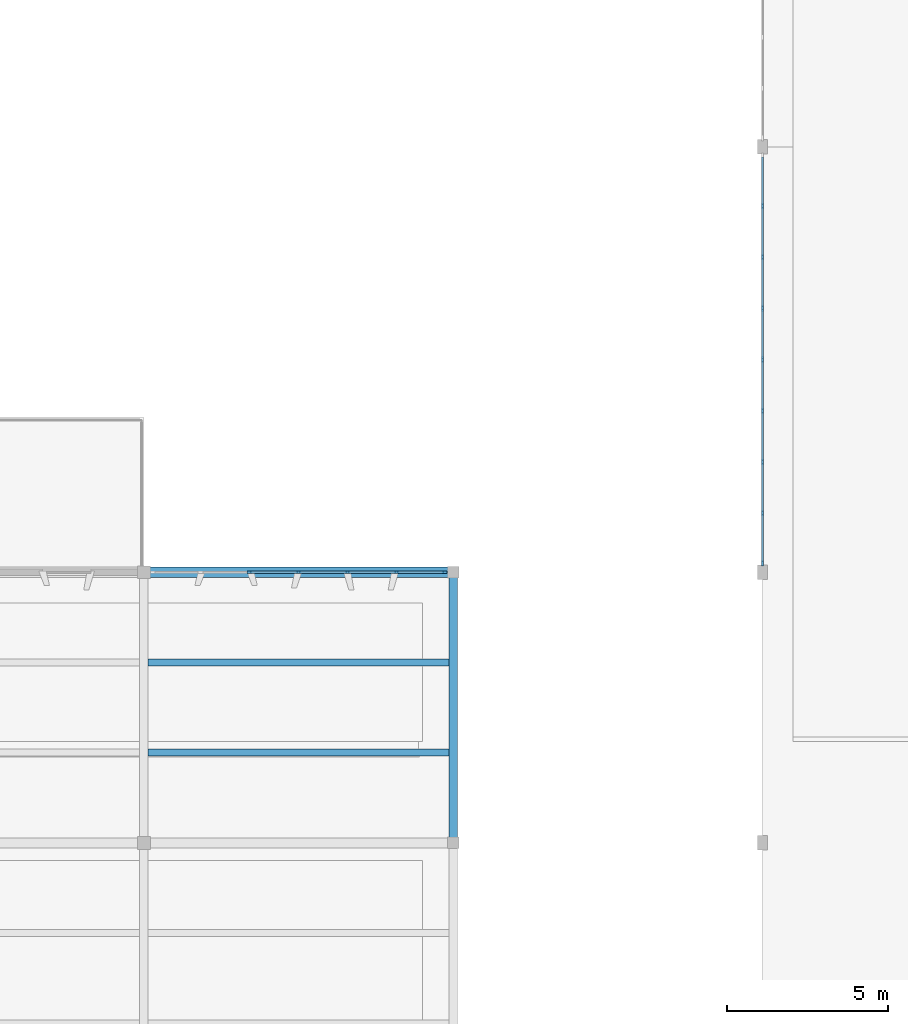
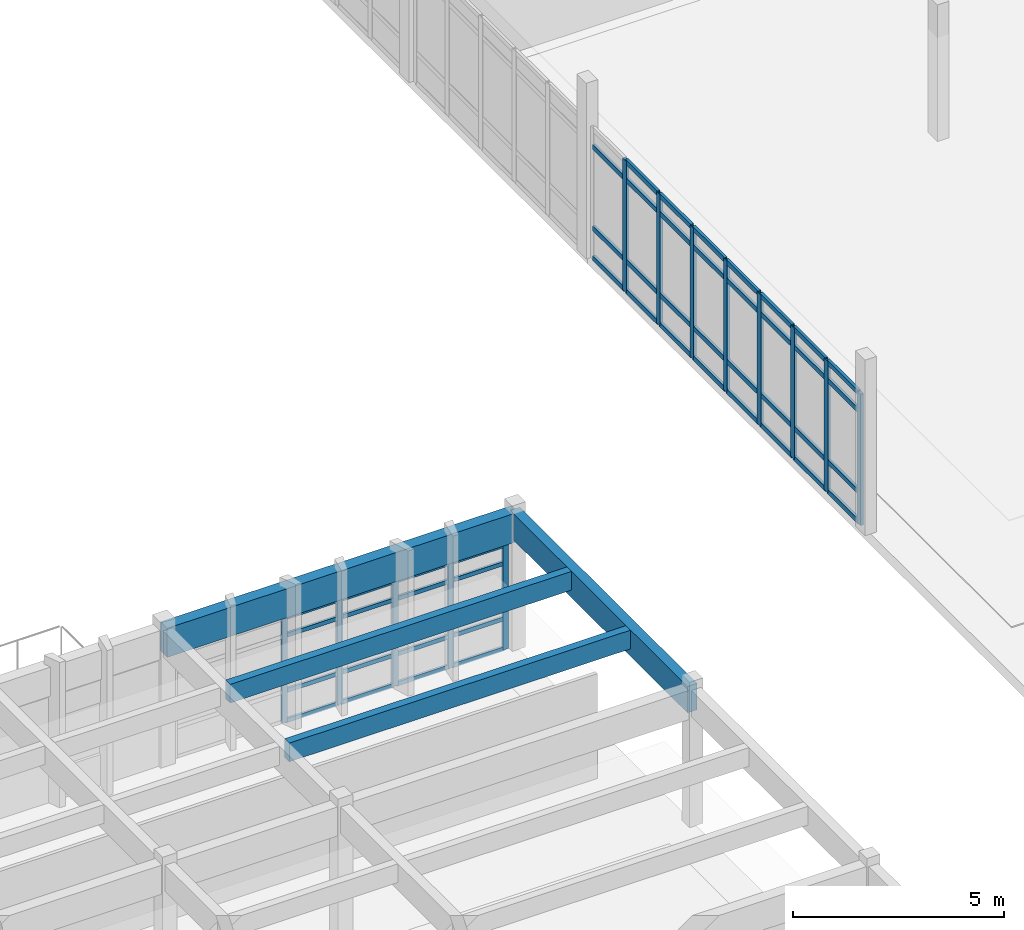
# One storey, part 24 of 61: 60 members, 4 beams, 2 elements without a shape of their own.
"""IFC4 building model written with IfcOpenShell, lengths in metres."""

import ifcopenshell
import ifcopenshell.guid

model = None  # the IFC model being written
_history = None  # IfcOwnerHistory: only IFC2X3 demands one
_inside = {}  # id of a spatial element -> (the spatial element, [elements in it])
_under = {}  # id of a project, library or spatial element -> (it, [spatial elements below it])
_declared = {}  # id of a project -> (the project, [libraries it declares])
_typed = {}  # id of a type object -> (the type object, [elements of that type])
_made_of = {}  # id of a material, layer set ... -> (it, [elements and type objects made of it])


def new_model(schema):
    """Start an empty IFC model of exactly this schema.

    Asked for "IFC4X3", IfcOpenShell would pick the latest addendum, in which some entities
    have other attributes; the version numbers below select the first issue.
    IFC2X3 requires an IfcOwnerHistory on every rooted entity: one is made here for all.
    """
    global model, _history
    if schema == "IFC4X3":
        model = ifcopenshell.file(schema_version=(4, 3, 0, 0))
    else:
        model = ifcopenshell.file(schema=schema)
    _inside.clear()
    _under.clear()
    _declared.clear()
    _typed.clear()
    _made_of.clear()
    _history = None
    if model.schema == "IFC2X3":
        org = make("IfcOrganization", Name="unknown")
        user = make(
            "IfcPersonAndOrganization",
            ThePerson=make("IfcPerson", FamilyName="unknown"),
            TheOrganization=org,
        )
        app = make(
            "IfcApplication",
            ApplicationDeveloper=org,
            Version="unknown",
            ApplicationFullName="unknown",
            ApplicationIdentifier="unknown",
        )
        _history = make(
            "IfcOwnerHistory",
            OwningUser=user,
            OwningApplication=app,
            ChangeAction="ADDED",
            CreationDate=0,
        )
    return model


def make(cls, **values):
    """One entity of the class cls with the attributes given. An attribute that is None is left unset."""
    return model.create_entity(
        cls, **{name: value for name, value in values.items() if value is not None}
    )


def rooted(cls, **values):
    """An entity with a GlobalId (a new one), such as an element, a storey or a relation."""
    return make(cls, GlobalId=ifcopenshell.guid.new(), OwnerHistory=_history, **values)


def si_unit(unit_type, name, prefix=None):
    """IfcSIUnit, for example si_unit("LENGTHUNIT", "METRE", prefix="MILLI")."""
    return make("IfcSIUnit", UnitType=unit_type, Prefix=prefix, Name=name)


def assignment(units):
    """IfcUnitAssignment: the units of a project."""
    return None if units is None else make("IfcUnitAssignment", Units=units)


def point(xyz):
    """IfcCartesianPoint."""
    return None if xyz is None else make("IfcCartesianPoint", Coordinates=xyz)


def direction(xyz):
    """IfcDirection."""
    return None if xyz is None else make("IfcDirection", DirectionRatios=xyz)


def frame(location, z_axis=None, x_axis=None):
    """IfcAxis2Placement3D, a coordinate frame: its origin and axes. An axis left out is left unset."""
    return make(
        "IfcAxis2Placement3D",
        Location=point(location),
        Axis=direction(z_axis),
        RefDirection=direction(x_axis),
    )


def frame_2d(location, x_axis=None):
    """IfcAxis2Placement2D, a coordinate frame in the plane: its origin and x axis."""
    return make(
        "IfcAxis2Placement2D", Location=point(location), RefDirection=direction(x_axis)
    )


def origin():
    """The frame at (0, 0, 0) with its axes left unset."""
    return frame((0.0, 0.0, 0.0))


def origin_2d():
    """The frame at (0, 0) in the plane with its x axis left unset."""
    return frame_2d((0.0, 0.0))


def place(relative_to, where):
    """IfcLocalPlacement: puts the frame where relative to a parent placement (None: the world)."""
    return make(
        "IfcLocalPlacement", PlacementRelTo=relative_to, RelativePlacement=where
    )


def context(
    kind, dimensions, precision=None, world=None, true_north=None, identifier=None
):
    """IfcGeometricRepresentationContext, for example the 3D "Model" context."""
    return make(
        "IfcGeometricRepresentationContext",
        ContextIdentifier=identifier,
        ContextType=kind,
        CoordinateSpaceDimension=dimensions,
        Precision=precision,
        WorldCoordinateSystem=world,
        TrueNorth=true_north,
    )


def subcontext(parent, identifier, kind, view, scale=None):
    """IfcGeometricRepresentationSubContext, for example "Body" below "Model"."""
    return make(
        "IfcGeometricRepresentationSubContext",
        ContextIdentifier=identifier,
        ContextType=kind,
        ParentContext=parent,
        TargetScale=scale,
        TargetView=view,
    )


def project(units=None, contexts=None):
    """IfcProject with its units and contexts."""
    return rooted(
        "IfcProject",
        Name="project",
        RepresentationContexts=contexts,
        UnitsInContext=assignment(units),
    )


def spatial(cls, under=None, at=None, **own):
    """A site, building, storey or space (cls), placed at a placement, below another one or the project."""
    s = rooted(cls, ObjectPlacement=at, **own)
    if under is not None:
        _under.setdefault(under.id(), (under, []))[1].append(s)
    return s


def profile(cls, at=None, kind="AREA", **sizes):
    """A parametric profile (cls). Its sizes go by their IFC names, for example OverallWidth=200.0."""
    return make(cls, ProfileType=kind, Position=at, **sizes)


def rectangle(**sizes):
    """IfcRectangleProfileDef."""
    return profile("IfcRectangleProfileDef", **sizes)


def extrude(swept, where, along, depth):
    """IfcExtrudedAreaSolid: the profile swept, set in the frame where, extruded along a direction by depth."""
    return make(
        "IfcExtrudedAreaSolid",
        SweptArea=swept,
        Position=where,
        ExtrudedDirection=direction(along),
        Depth=depth,
    )


def shape(context_of_items, identifier, shape_type, items):
    """IfcShapeRepresentation: the items that make up one representation, for example the "Body"."""
    return make(
        "IfcShapeRepresentation",
        ContextOfItems=context_of_items,
        RepresentationIdentifier=identifier,
        RepresentationType=shape_type,
        Items=items,
    )


def material(Name=None, Category=None):
    """IfcMaterial."""
    return make("IfcMaterial", Name=Name, Category=Category)


def layer(
    of_material, thickness, ventilated=None, Name=None, Category=None, Priority=None
):
    """IfcMaterialLayer: one layer of a wall or slab, of a material (None: an air gap)."""
    return make(
        "IfcMaterialLayer",
        Material=of_material,
        LayerThickness=thickness,
        IsVentilated=ventilated,
        Name=Name,
        Category=Category,
        Priority=Priority,
    )


def layer_set(layers, Name=None):
    """IfcMaterialLayerSet."""
    return make("IfcMaterialLayerSet", MaterialLayers=layers, LayerSetName=Name)


def material_profile(
    of_material, cross_section, Name=None, Category=None, Priority=None
):
    """IfcMaterialProfile: a cross section and its material."""
    return make(
        "IfcMaterialProfile",
        Name=Name,
        Material=of_material,
        Profile=cross_section,
        Priority=Priority,
        Category=Category,
    )


def profile_set(profiles, Name=None, composite=None):
    """IfcMaterialProfileSet."""
    return make(
        "IfcMaterialProfileSet",
        Name=Name,
        MaterialProfiles=profiles,
        CompositeProfile=composite,
    )


def made_of(thing, what):
    """Note that an element or type object is made of a material, layer set ...; save() writes the relation."""
    if what is not None:
        _made_of.setdefault(what.id(), (what, []))[1].append(thing)
    return thing


def type_object(cls, material=None, **own):
    """A type object (cls), such as IfcWallType, which elements share."""
    return made_of(rooted(cls, **own), material)


def element(
    cls,
    number,
    at=None,
    inside=None,
    cuts=None,
    type_object=None,
    material=None,
    context=None,
    identifier="Body",
    shape_type=None,
    held_by="IfcProductDefinitionShape",
    body=None,
    shapes=None,
    **own,
):
    """One element of the class cls, such as IfcWall. Its Tag is "e" and its number.

    at: its placement. inside: the storey or other place that contains it. cuts: it is an
    opening in that element (IfcRelVoidsElement). A single representation is given by context,
    identifier, shape_type and body (its items); several are given by shapes. held_by: the class
    of the entity that holds the representations. save() writes the other relations.
    """
    e = rooted(cls, Tag="e%d" % number, ObjectPlacement=at, **own)
    if body is not None:
        shapes = [shape(context, identifier, shape_type, body)]
    if shapes is not None:
        e.Representation = make(held_by, Representations=shapes)
    if inside is not None:
        _inside.setdefault(inside.id(), (inside, []))[1].append(e)
    if cuts is not None:
        rooted(
            "IfcRelVoidsElement", RelatingBuildingElement=cuts, RelatedOpeningElement=e
        )
    if type_object is not None:
        _typed.setdefault(type_object.id(), (type_object, []))[1].append(e)
    return made_of(e, material)


def aggregate(whole, parts):
    """IfcRelAggregates: a whole, such as a stair, and the parts it consists of."""
    return rooted("IfcRelAggregates", RelatingObject=whole, RelatedObjects=parts)


def save(model, path):
    """Write the relations noted so far, then the file.

    IfcRelAggregates (storeys below a building ...), IfcRelContainedInSpatialStructure (elements
    in a storey), IfcRelDefinesByType, IfcRelAssociatesMaterial and IfcRelDeclares: one each for
    every whole, place, type object, material and project.
    """
    for whole, parts in _under.values():
        aggregate(whole, parts)
    for where, things in _inside.values():
        rooted(
            "IfcRelContainedInSpatialStructure",
            RelatedElements=things,
            RelatingStructure=where,
        )
    for kind, things in _typed.values():
        rooted("IfcRelDefinesByType", RelatedObjects=things, RelatingType=kind)
    for what, things in _made_of.values():
        rooted("IfcRelAssociatesMaterial", RelatedObjects=things, RelatingMaterial=what)
    for by, libraries in _declared.values():
        rooted("IfcRelDeclares", RelatingContext=by, RelatedDefinitions=libraries)
    model.write(path)


model = new_model("IFC4")

# Units and contexts
model_context = context("Model", 3, precision=1e-05, world=origin(), true_north=direction((0.0, 1.0)))
body_context = subcontext(model_context, "Body", "Model", "MODEL_VIEW")
ifc_project = project(units=[si_unit("LENGTHUNIT", "METRE"), si_unit("AREAUNIT", "SQUARE_METRE"), si_unit("VOLUMEUNIT", "CUBIC_METRE"), si_unit("PLANEANGLEUNIT", "RADIAN"), si_unit("MASSUNIT", "GRAM", prefix="KILO")], contexts=[model_context])

# Site, building, storey
site_placement = place(None, origin())
site = spatial("IfcSite", under=ifc_project, at=site_placement, CompositionType="ELEMENT")
building_placement = place(site_placement, origin())
building = spatial("IfcBuilding", under=site, at=building_placement, Name="Kolvemor Railside Polytechnic", CompositionType="ELEMENT")
storey_placement = place(building_placement, frame((0.0, 0.0, 10.199951171875)))
storey = spatial("IfcBuildingStorey", under=building, at=storey_placement, Name="L02", CompositionType="ELEMENT", Elevation=10.199951171875)

# Beams
ifc_material_1 = material(Name="Glulam GL28h", Category="wood")
ifc_material_profile_1 = material_profile(ifc_material_1, rectangle(XDim=0.264892578125, YDim=0.760009765625, at=origin_2d()), Name="GL265x760")
ifc_profile_set_1 = profile_set([ifc_material_profile_1], Name="Glulam GL28h")
beam_type_1 = type_object("IfcBeamType", Name="BM-GL-GIRD1", PredefinedType="BEAM", material=ifc_profile_set_1)
beam_1_placement = place(storey_placement, frame((134.39990234375, 30.0, 3.570068359375), z_axis=(0.0, 1.0, 0.0), x_axis=(-1.0, 0.0, 0.0)))
element("IfcBeam", 1, at=beam_1_placement, inside=storey, type_object=beam_type_1, Name="Primary Girder L03-GY 1933", PredefinedType="BEAM", context=body_context, shape_type="SweptSolid", body=[
    extrude(rectangle(XDim=0.264892578125, YDim=0.760009765625, at=origin_2d()), origin(), (0.0, 0.0, 1.0), 8.39990234375),
])
ifc_material_2 = material(Name="Glulam GL28h", Category="wood")
ifc_material_profile_2 = material_profile(ifc_material_2, rectangle(XDim=0.31494140625, YDim=0.840087890625, at=origin_2d()), Name="GL315x840")
ifc_profile_set_2 = profile_set([ifc_material_profile_2], Name="Glulam GL28h")
beam_type_2 = type_object("IfcBeamType", Name="BM-GL-GIRD3", PredefinedType="BEAM", material=ifc_profile_set_2)
beam_2_placement = place(storey_placement, frame((124.800048828125, 38.39990234375, 3.530029296875), z_axis=(1.0, 0.0, 0.0), x_axis=(0.0, 1.0, 0.0)))
element("IfcBeam", 2, at=beam_2_placement, inside=storey, type_object=beam_type_2, Name="Primary Girder L03-GX 1929", PredefinedType="BEAM", context=body_context, shape_type="SweptSolid", body=[
    extrude(rectangle(XDim=0.31494140625, YDim=0.840087890625, at=origin_2d()), origin(), (0.0, 0.0, 1.0), 9.599853515625),
])
ifc_material_3 = material(Name="Glulam GL28h", Category="wood")
ifc_material_profile_3 = material_profile(ifc_material_3, rectangle(XDim=0.215087890625, YDim=0.5400390625, at=origin_2d()), Name="GL215x540")
ifc_profile_set_3 = profile_set([ifc_material_profile_3], Name="Glulam GL28h")
beam_type_3 = type_object("IfcBeamType", Name="BM-GL-JST1", PredefinedType="JOIST", material=ifc_profile_set_3)
for number, where, z_axis, x_axis, name in (
    (3, (124.93310546875, 32.800048828125, 3.679931640625), (1.0, 0.0, 0.0), (0.0, 1.0, 0.0), "Floor Joist L03-J1940"),
    (4, (124.93310546875, 35.60009765625, 3.679931640625), (1.0, 0.0, 0.0), (0.0, 1.0, 0.0), "Floor Joist L03-J1941"),
):
    element("IfcBeam", number, at=place(storey_placement, frame(where, z_axis=z_axis, x_axis=x_axis)), inside=storey, type_object=beam_type_3, Name=name, PredefinedType="JOIST", context=body_context, shape_type="SweptSolid", body=[
        extrude(rectangle(XDim=0.215087890625, YDim=0.5400390625, at=origin_2d()), origin(), (0.0, 0.0, 1.0), 9.333984375),
    ])

# Curtain wall, members
ifc_material_4 = material(Name="Anodised marine aluminium and laminated low-E glass", Category="aluminium")
ifc_layer = layer(ifc_material_4, 0.179931640625, Name="CW-UNIT-STD")
ifc_layer_set = layer_set([ifc_layer], Name="Anodised marine aluminium and laminated low-E glass")
curtain_wall_type = type_object("IfcCurtainWallType", Name="CW-UNIT-STD", PredefinedType="USERDEFINED", material=ifc_layer_set)
curtain_wall_1_placement = place(storey_placement, origin())
curtain_wall_1 = element("IfcCurtainWall", 5, at=curtain_wall_1_placement, inside=storey, type_object=curtain_wall_type, Name="Curtain Wall L02-125", ObjectType="UNITISED CURTAIN WALL", PredefinedType="USERDEFINED")
ifc_material_5 = material(Name="Anodised marine aluminium 6063-T6", Category="aluminium")
ifc_material_profile_4 = material_profile(ifc_material_5, rectangle(XDim=0.06494140625, YDim=0.14990234375, at=origin_2d()), Name="CW-MUL-65x150")
ifc_profile_set_4 = profile_set([ifc_material_profile_4], Name="Anodised marine aluminium 6063-T6")
member_type_1 = type_object("IfcMemberType", Name="CWM-65x150", PredefinedType="MULLION", material=ifc_profile_set_4)
member_1_placement = place(storey_placement, frame((134.12744140625, 38.39990234375, 0.0), z_axis=(0.0, 0.0, 1.0), x_axis=(0.0, -1.0, 0.0)))
member_1 = element("IfcMember", 6, at=member_1_placement, type_object=member_type_1, Name="CW-STD mullion 1", PredefinedType="MULLION", context=body_context, shape_type="SweptSolid", body=[
    extrude(rectangle(XDim=0.06494140625, YDim=0.14990234375, at=origin_2d()), origin(), (0.0, 0.0, 1.0), 3.050048828125),
])
member_2_placement = place(storey_placement, frame((132.639892578125, 38.39990234375, 0.0), z_axis=(0.0, 0.0, 1.0), x_axis=(0.0, -1.0, 0.0)))
member_2 = element("IfcMember", 7, at=member_2_placement, type_object=member_type_1, Name="CW-STD mullion 2", PredefinedType="MULLION", context=body_context, shape_type="SweptSolid", body=[
    extrude(rectangle(XDim=0.06494140625, YDim=0.14990234375, at=origin_2d()), origin(), (0.0, 0.0, 1.0), 3.050048828125),
])
member_3_placement = place(storey_placement, frame((131.1201171875, 38.39990234375, 0.0), z_axis=(0.0, 0.0, 1.0), x_axis=(0.0, -1.0, 0.0)))
member_3 = element("IfcMember", 8, at=member_3_placement, type_object=member_type_1, Name="CW-STD mullion 3", PredefinedType="MULLION", context=body_context, shape_type="SweptSolid", body=[
    extrude(rectangle(XDim=0.06494140625, YDim=0.14990234375, at=origin_2d()), origin(), (0.0, 0.0, 1.0), 3.050048828125),
])
member_4_placement = place(storey_placement, frame((129.60009765625, 38.39990234375, 0.0), z_axis=(0.0, 0.0, 1.0), x_axis=(0.0, -1.0, 0.0)))
member_4 = element("IfcMember", 9, at=member_4_placement, type_object=member_type_1, Name="CW-STD mullion 4", PredefinedType="MULLION", context=body_context, shape_type="SweptSolid", body=[
    extrude(rectangle(XDim=0.06494140625, YDim=0.14990234375, at=origin_2d()), origin(), (0.0, 0.0, 1.0), 3.050048828125),
])
member_5_placement = place(storey_placement, frame((128.080078125, 38.39990234375, 0.0), z_axis=(0.0, 0.0, 1.0), x_axis=(0.0, -1.0, 0.0)))
member_5 = element("IfcMember", 10, at=member_5_placement, type_object=member_type_1, Name="CW-STD mullion 5", PredefinedType="MULLION", context=body_context, shape_type="SweptSolid", body=[
    extrude(rectangle(XDim=0.06494140625, YDim=0.14990234375, at=origin_2d()), origin(), (0.0, 0.0, 1.0), 3.050048828125),
])

curtain_wall_2_placement = place(storey_placement, origin())
curtain_wall_2 = element("IfcCurtainWall", 11, at=curtain_wall_2_placement, inside=storey, type_object=curtain_wall_type, Name="Curtain Wall L02-064", ObjectType="UNITISED CURTAIN WALL", PredefinedType="USERDEFINED")
ifc_material_6 = material(Name="Anodised marine aluminium 6063-T6", Category="aluminium")
ifc_material_profile_5 = material_profile(ifc_material_6, rectangle(XDim=0.074951171875, YDim=0.179931640625, at=origin_2d()), Name="CW-MUL-75x180")
ifc_profile_set_5 = profile_set([ifc_material_profile_5], Name="Anodised marine aluminium 6063-T6")
member_type_2 = type_object("IfcMemberType", Name="CWM-75x180", PredefinedType="MULLION", material=ifc_profile_set_5)
member_6_placement = place(storey_placement, frame((144.0, 49.77001953125, 0.0), z_axis=(0.0, 0.0, 1.0), x_axis=(1.0, 0.0, 0.0)))
member_6 = element("IfcMember", 12, at=member_6_placement, type_object=member_type_2, Name="CW-STD mullion 2", PredefinedType="MULLION", context=body_context, shape_type="SweptSolid", body=[
    extrude(rectangle(XDim=0.074951171875, YDim=0.179931640625, at=origin_2d()), origin(), (0.0, 0.0, 1.0), 3.800048828125),
])
member_7_placement = place(storey_placement, frame((144.0, 48.179931640625, 0.0), z_axis=(0.0, 0.0, 1.0), x_axis=(1.0, 0.0, 0.0)))
member_7 = element("IfcMember", 13, at=member_7_placement, type_object=member_type_2, Name="CW-STD mullion 3", PredefinedType="MULLION", context=body_context, shape_type="SweptSolid", body=[
    extrude(rectangle(XDim=0.074951171875, YDim=0.179931640625, at=origin_2d()), origin(), (0.0, 0.0, 1.0), 3.800048828125),
])
member_8_placement = place(storey_placement, frame((144.0, 46.590087890625, 0.0), z_axis=(0.0, 0.0, 1.0), x_axis=(1.0, 0.0, 0.0)))
member_8 = element("IfcMember", 14, at=member_8_placement, type_object=member_type_2, Name="CW-STD mullion 4", PredefinedType="MULLION", context=body_context, shape_type="SweptSolid", body=[
    extrude(rectangle(XDim=0.074951171875, YDim=0.179931640625, at=origin_2d()), origin(), (0.0, 0.0, 1.0), 3.800048828125),
])
member_9_placement = place(storey_placement, frame((144.0, 45.0, 0.0), z_axis=(0.0, 0.0, 1.0), x_axis=(1.0, 0.0, 0.0)))
member_9 = element("IfcMember", 15, at=member_9_placement, type_object=member_type_2, Name="CW-STD mullion 5", PredefinedType="MULLION", context=body_context, shape_type="SweptSolid", body=[
    extrude(rectangle(XDim=0.074951171875, YDim=0.179931640625, at=origin_2d()), origin(), (0.0, 0.0, 1.0), 3.800048828125),
])
member_10_placement = place(storey_placement, frame((144.0, 43.409912109375, 0.0), z_axis=(0.0, 0.0, 1.0), x_axis=(1.0, 0.0, 0.0)))
member_10 = element("IfcMember", 16, at=member_10_placement, type_object=member_type_2, Name="CW-STD mullion 6", PredefinedType="MULLION", context=body_context, shape_type="SweptSolid", body=[
    extrude(rectangle(XDim=0.074951171875, YDim=0.179931640625, at=origin_2d()), origin(), (0.0, 0.0, 1.0), 3.800048828125),
])
member_11_placement = place(storey_placement, frame((144.0, 41.820068359375, 0.0), z_axis=(0.0, 0.0, 1.0), x_axis=(1.0, 0.0, 0.0)))
member_11 = element("IfcMember", 17, at=member_11_placement, type_object=member_type_2, Name="CW-STD mullion 7", PredefinedType="MULLION", context=body_context, shape_type="SweptSolid", body=[
    extrude(rectangle(XDim=0.074951171875, YDim=0.179931640625, at=origin_2d()), origin(), (0.0, 0.0, 1.0), 3.800048828125),
])
member_12_placement = place(storey_placement, frame((144.0, 40.22998046875, 0.0), z_axis=(0.0, 0.0, 1.0), x_axis=(1.0, 0.0, 0.0)))
member_12 = element("IfcMember", 18, at=member_12_placement, type_object=member_type_2, Name="CW-STD mullion 8", PredefinedType="MULLION", context=body_context, shape_type="SweptSolid", body=[
    extrude(rectangle(XDim=0.074951171875, YDim=0.179931640625, at=origin_2d()), origin(), (0.0, 0.0, 1.0), 3.800048828125),
])
member_13_placement = place(storey_placement, frame((144.0, 38.677490234375, 0.0), z_axis=(0.0, 0.0, 1.0), x_axis=(1.0, 0.0, 0.0)))
member_13 = element("IfcMember", 19, at=member_13_placement, type_object=member_type_2, Name="CW-STD mullion 9", PredefinedType="MULLION", context=body_context, shape_type="SweptSolid", body=[
    extrude(rectangle(XDim=0.074951171875, YDim=0.179931640625, at=origin_2d()), origin(), (0.0, 0.0, 1.0), 3.800048828125),
])

# Member
ifc_material_7 = material(Name="Anodised marine aluminium 6063-T6", Category="aluminium")
ifc_material_profile_6 = material_profile(ifc_material_7, rectangle(XDim=0.06494140625, YDim=0.1201171875, at=origin_2d()), Name="CW-TRN-65x120")
ifc_profile_set_6 = profile_set([ifc_material_profile_6], Name="Anodised marine aluminium 6063-T6")
member_type_3 = type_object("IfcMemberType", Name="CWT-65x120", PredefinedType="USERDEFINED", material=ifc_profile_set_6)
member_14_placement = place(storey_placement, frame((134.094970703125, 38.39990234375, 0.032470703125), z_axis=(-1.0, 0.0, 0.0), x_axis=(0.0, -1.0, 0.0)))
member_14 = element("IfcMember", 20, at=member_14_placement, type_object=member_type_3, Name="CW-STD transom 1.1", ObjectType="TRANSOM", PredefinedType="USERDEFINED", context=body_context, shape_type="SweptSolid", body=[
    extrude(rectangle(XDim=0.06494140625, YDim=0.1201171875, at=origin_2d()), origin(), (0.0, 0.0, 1.0), 1.42236328125),
])

member_15_placement = place(storey_placement, frame((134.094970703125, 38.39990234375, 0.900146484375), z_axis=(-1.0, 0.0, 0.0), x_axis=(0.0, -1.0, 0.0)))
member_15 = element("IfcMember", 21, at=member_15_placement, type_object=member_type_3, Name="CW-STD transom 1.2", ObjectType="TRANSOM", PredefinedType="USERDEFINED", context=body_context, shape_type="SweptSolid", body=[
    extrude(rectangle(XDim=0.06494140625, YDim=0.1201171875, at=origin_2d()), origin(), (0.0, 0.0, 1.0), 1.42236328125),
])

member_16_placement = place(storey_placement, frame((134.094970703125, 38.39990234375, 2.5), z_axis=(-1.0, 0.0, 0.0), x_axis=(0.0, -1.0, 0.0)))
member_16 = element("IfcMember", 22, at=member_16_placement, type_object=member_type_3, Name="CW-STD transom 1.3", ObjectType="TRANSOM", PredefinedType="USERDEFINED", context=body_context, shape_type="SweptSolid", body=[
    extrude(rectangle(XDim=0.06494140625, YDim=0.1201171875, at=origin_2d()), origin(), (0.0, 0.0, 1.0), 1.42236328125),
])

member_17_placement = place(storey_placement, frame((134.094970703125, 38.39990234375, 3.017578125), z_axis=(-1.0, 0.0, 0.0), x_axis=(0.0, -1.0, 0.0)))
member_17 = element("IfcMember", 23, at=member_17_placement, type_object=member_type_3, Name="CW-STD transom 1.4", ObjectType="TRANSOM", PredefinedType="USERDEFINED", context=body_context, shape_type="SweptSolid", body=[
    extrude(rectangle(XDim=0.06494140625, YDim=0.1201171875, at=origin_2d()), origin(), (0.0, 0.0, 1.0), 1.42236328125),
])

member_18_placement = place(storey_placement, frame((132.607421875, 38.39990234375, 0.032470703125), z_axis=(-1.0, 0.0, 0.0), x_axis=(0.0, -1.0, 0.0)))
member_18 = element("IfcMember", 24, at=member_18_placement, type_object=member_type_3, Name="CW-STD transom 2.1", ObjectType="TRANSOM", PredefinedType="USERDEFINED", context=body_context, shape_type="SweptSolid", body=[
    extrude(rectangle(XDim=0.06494140625, YDim=0.1201171875, at=origin_2d()), origin(), (0.0, 0.0, 1.0), 1.454833984375),
])

member_19_placement = place(storey_placement, frame((132.607421875, 38.39990234375, 0.900146484375), z_axis=(-1.0, 0.0, 0.0), x_axis=(0.0, -1.0, 0.0)))
member_19 = element("IfcMember", 25, at=member_19_placement, type_object=member_type_3, Name="CW-STD transom 2.2", ObjectType="TRANSOM", PredefinedType="USERDEFINED", context=body_context, shape_type="SweptSolid", body=[
    extrude(rectangle(XDim=0.06494140625, YDim=0.1201171875, at=origin_2d()), origin(), (0.0, 0.0, 1.0), 1.454833984375),
])

member_20_placement = place(storey_placement, frame((132.607421875, 38.39990234375, 2.5), z_axis=(-1.0, 0.0, 0.0), x_axis=(0.0, -1.0, 0.0)))
member_20 = element("IfcMember", 26, at=member_20_placement, type_object=member_type_3, Name="CW-STD transom 2.3", ObjectType="TRANSOM", PredefinedType="USERDEFINED", context=body_context, shape_type="SweptSolid", body=[
    extrude(rectangle(XDim=0.06494140625, YDim=0.1201171875, at=origin_2d()), origin(), (0.0, 0.0, 1.0), 1.454833984375),
])

member_21_placement = place(storey_placement, frame((132.607421875, 38.39990234375, 3.017578125), z_axis=(-1.0, 0.0, 0.0), x_axis=(0.0, -1.0, 0.0)))
member_21 = element("IfcMember", 27, at=member_21_placement, type_object=member_type_3, Name="CW-STD transom 2.4", ObjectType="TRANSOM", PredefinedType="USERDEFINED", context=body_context, shape_type="SweptSolid", body=[
    extrude(rectangle(XDim=0.06494140625, YDim=0.1201171875, at=origin_2d()), origin(), (0.0, 0.0, 1.0), 1.454833984375),
])

member_22_placement = place(storey_placement, frame((131.08740234375, 38.39990234375, 0.032470703125), z_axis=(-1.0, 0.0, 0.0), x_axis=(0.0, -1.0, 0.0)))
member_22 = element("IfcMember", 28, at=member_22_placement, type_object=member_type_3, Name="CW-STD transom 3.1", ObjectType="TRANSOM", PredefinedType="USERDEFINED", context=body_context, shape_type="SweptSolid", body=[
    extrude(rectangle(XDim=0.06494140625, YDim=0.1201171875, at=origin_2d()), origin(), (0.0, 0.0, 1.0), 1.454833984375),
])

member_23_placement = place(storey_placement, frame((131.08740234375, 38.39990234375, 0.900146484375), z_axis=(-1.0, 0.0, 0.0), x_axis=(0.0, -1.0, 0.0)))
member_23 = element("IfcMember", 29, at=member_23_placement, type_object=member_type_3, Name="CW-STD transom 3.2", ObjectType="TRANSOM", PredefinedType="USERDEFINED", context=body_context, shape_type="SweptSolid", body=[
    extrude(rectangle(XDim=0.06494140625, YDim=0.1201171875, at=origin_2d()), origin(), (0.0, 0.0, 1.0), 1.454833984375),
])

member_24_placement = place(storey_placement, frame((131.08740234375, 38.39990234375, 2.5), z_axis=(-1.0, 0.0, 0.0), x_axis=(0.0, -1.0, 0.0)))
member_24 = element("IfcMember", 30, at=member_24_placement, type_object=member_type_3, Name="CW-STD transom 3.3", ObjectType="TRANSOM", PredefinedType="USERDEFINED", context=body_context, shape_type="SweptSolid", body=[
    extrude(rectangle(XDim=0.06494140625, YDim=0.1201171875, at=origin_2d()), origin(), (0.0, 0.0, 1.0), 1.454833984375),
])

member_25_placement = place(storey_placement, frame((131.08740234375, 38.39990234375, 3.017578125), z_axis=(-1.0, 0.0, 0.0), x_axis=(0.0, -1.0, 0.0)))
member_25 = element("IfcMember", 31, at=member_25_placement, type_object=member_type_3, Name="CW-STD transom 3.4", ObjectType="TRANSOM", PredefinedType="USERDEFINED", context=body_context, shape_type="SweptSolid", body=[
    extrude(rectangle(XDim=0.06494140625, YDim=0.1201171875, at=origin_2d()), origin(), (0.0, 0.0, 1.0), 1.454833984375),
])

member_26_placement = place(storey_placement, frame((129.5673828125, 38.39990234375, 0.032470703125), z_axis=(-1.0, 0.0, 0.0), x_axis=(0.0, -1.0, 0.0)))
member_26 = element("IfcMember", 32, at=member_26_placement, type_object=member_type_3, Name="CW-STD transom 4.1", ObjectType="TRANSOM", PredefinedType="USERDEFINED", context=body_context, shape_type="SweptSolid", body=[
    extrude(rectangle(XDim=0.06494140625, YDim=0.1201171875, at=origin_2d()), origin(), (0.0, 0.0, 1.0), 1.454833984375),
])

member_27_placement = place(storey_placement, frame((129.5673828125, 38.39990234375, 0.900146484375), z_axis=(-1.0, 0.0, 0.0), x_axis=(0.0, -1.0, 0.0)))
member_27 = element("IfcMember", 33, at=member_27_placement, type_object=member_type_3, Name="CW-STD transom 4.2", ObjectType="TRANSOM", PredefinedType="USERDEFINED", context=body_context, shape_type="SweptSolid", body=[
    extrude(rectangle(XDim=0.06494140625, YDim=0.1201171875, at=origin_2d()), origin(), (0.0, 0.0, 1.0), 1.454833984375),
])

member_28_placement = place(storey_placement, frame((129.5673828125, 38.39990234375, 2.5), z_axis=(-1.0, 0.0, 0.0), x_axis=(0.0, -1.0, 0.0)))
member_28 = element("IfcMember", 34, at=member_28_placement, type_object=member_type_3, Name="CW-STD transom 4.3", ObjectType="TRANSOM", PredefinedType="USERDEFINED", context=body_context, shape_type="SweptSolid", body=[
    extrude(rectangle(XDim=0.06494140625, YDim=0.1201171875, at=origin_2d()), origin(), (0.0, 0.0, 1.0), 1.454833984375),
])

member_29_placement = place(storey_placement, frame((129.5673828125, 38.39990234375, 3.017578125), z_axis=(-1.0, 0.0, 0.0), x_axis=(0.0, -1.0, 0.0)))
member_29 = element("IfcMember", 35, at=member_29_placement, type_object=member_type_3, Name="CW-STD transom 4.4", ObjectType="TRANSOM", PredefinedType="USERDEFINED", context=body_context, shape_type="SweptSolid", body=[
    extrude(rectangle(XDim=0.06494140625, YDim=0.1201171875, at=origin_2d()), origin(), (0.0, 0.0, 1.0), 1.454833984375),
])

aggregate(curtain_wall_1, [member_1, member_2, member_3, member_4, member_5, member_14, member_15, member_16, member_17, member_18, member_19, member_20, member_21, member_22, member_23, member_24, member_25, member_26, member_27, member_28, member_29])

ifc_material_8 = material(Name="Anodised marine aluminium 6063-T6", Category="aluminium")
ifc_material_profile_7 = material_profile(ifc_material_8, rectangle(XDim=0.074951171875, YDim=0.139892578125, at=origin_2d()), Name="CW-TRN-75x140")
ifc_profile_set_7 = profile_set([ifc_material_profile_7], Name="Anodised marine aluminium 6063-T6")
member_type_4 = type_object("IfcMemberType", Name="CWT-75x140", PredefinedType="USERDEFINED", material=ifc_profile_set_7)
member_30_placement = place(storey_placement, frame((144.0, 51.284912109375, 0.03759765625), z_axis=(0.0, -1.0, 0.0), x_axis=(1.0, 0.0, 0.0)))
member_30 = element("IfcMember", 36, at=member_30_placement, type_object=member_type_4, Name="CW-STD transom 1.1", ObjectType="TRANSOM", PredefinedType="USERDEFINED", context=body_context, shape_type="SweptSolid", body=[
    extrude(rectangle(XDim=0.074951171875, YDim=0.139892578125, at=origin_2d()), origin(), (0.0, 0.0, 1.0), 1.477294921875),
])

member_31_placement = place(storey_placement, frame((144.0, 51.284912109375, 0.900146484375), z_axis=(0.0, -1.0, 0.0), x_axis=(1.0, 0.0, 0.0)))
member_31 = element("IfcMember", 37, at=member_31_placement, type_object=member_type_4, Name="CW-STD transom 1.2", ObjectType="TRANSOM", PredefinedType="USERDEFINED", context=body_context, shape_type="SweptSolid", body=[
    extrude(rectangle(XDim=0.074951171875, YDim=0.139892578125, at=origin_2d()), origin(), (0.0, 0.0, 1.0), 1.477294921875),
])

member_32_placement = place(storey_placement, frame((144.0, 51.284912109375, 3.25), z_axis=(0.0, -1.0, 0.0), x_axis=(1.0, 0.0, 0.0)))
member_32 = element("IfcMember", 38, at=member_32_placement, type_object=member_type_4, Name="CW-STD transom 1.3", ObjectType="TRANSOM", PredefinedType="USERDEFINED", context=body_context, shape_type="SweptSolid", body=[
    extrude(rectangle(XDim=0.074951171875, YDim=0.139892578125, at=origin_2d()), origin(), (0.0, 0.0, 1.0), 1.477294921875),
])

member_33_placement = place(storey_placement, frame((144.0, 49.732421875, 0.03759765625), z_axis=(0.0, -1.0, 0.0), x_axis=(1.0, 0.0, 0.0)))
member_33 = element("IfcMember", 39, at=member_33_placement, type_object=member_type_4, Name="CW-STD transom 2.1", ObjectType="TRANSOM", PredefinedType="USERDEFINED", context=body_context, shape_type="SweptSolid", body=[
    extrude(rectangle(XDim=0.074951171875, YDim=0.139892578125, at=origin_2d()), origin(), (0.0, 0.0, 1.0), 1.514892578125),
])

member_34_placement = place(storey_placement, frame((144.0, 49.732421875, 0.900146484375), z_axis=(0.0, -1.0, 0.0), x_axis=(1.0, 0.0, 0.0)))
member_34 = element("IfcMember", 40, at=member_34_placement, type_object=member_type_4, Name="CW-STD transom 2.2", ObjectType="TRANSOM", PredefinedType="USERDEFINED", context=body_context, shape_type="SweptSolid", body=[
    extrude(rectangle(XDim=0.074951171875, YDim=0.139892578125, at=origin_2d()), origin(), (0.0, 0.0, 1.0), 1.514892578125),
])

member_35_placement = place(storey_placement, frame((144.0, 49.732421875, 3.25), z_axis=(0.0, -1.0, 0.0), x_axis=(1.0, 0.0, 0.0)))
member_35 = element("IfcMember", 41, at=member_35_placement, type_object=member_type_4, Name="CW-STD transom 2.3", ObjectType="TRANSOM", PredefinedType="USERDEFINED", context=body_context, shape_type="SweptSolid", body=[
    extrude(rectangle(XDim=0.074951171875, YDim=0.139892578125, at=origin_2d()), origin(), (0.0, 0.0, 1.0), 1.514892578125),
])

member_36_placement = place(storey_placement, frame((144.0, 49.732421875, 3.762451171875), z_axis=(0.0, -1.0, 0.0), x_axis=(1.0, 0.0, 0.0)))
member_36 = element("IfcMember", 42, at=member_36_placement, type_object=member_type_4, Name="CW-STD transom 2.4", ObjectType="TRANSOM", PredefinedType="USERDEFINED", context=body_context, shape_type="SweptSolid", body=[
    extrude(rectangle(XDim=0.074951171875, YDim=0.139892578125, at=origin_2d()), origin(), (0.0, 0.0, 1.0), 1.514892578125),
])

member_37_placement = place(storey_placement, frame((144.0, 48.142578125, 0.03759765625), z_axis=(0.0, -1.0, 0.0), x_axis=(1.0, 0.0, 0.0)))
member_37 = element("IfcMember", 43, at=member_37_placement, type_object=member_type_4, Name="CW-STD transom 3.1", ObjectType="TRANSOM", PredefinedType="USERDEFINED", context=body_context, shape_type="SweptSolid", body=[
    extrude(rectangle(XDim=0.074951171875, YDim=0.139892578125, at=origin_2d()), origin(), (0.0, 0.0, 1.0), 1.51513671875),
])

member_38_placement = place(storey_placement, frame((144.0, 48.142578125, 0.900146484375), z_axis=(0.0, -1.0, 0.0), x_axis=(1.0, 0.0, 0.0)))
member_38 = element("IfcMember", 44, at=member_38_placement, type_object=member_type_4, Name="CW-STD transom 3.2", ObjectType="TRANSOM", PredefinedType="USERDEFINED", context=body_context, shape_type="SweptSolid", body=[
    extrude(rectangle(XDim=0.074951171875, YDim=0.139892578125, at=origin_2d()), origin(), (0.0, 0.0, 1.0), 1.51513671875),
])

member_39_placement = place(storey_placement, frame((144.0, 48.142578125, 3.25), z_axis=(0.0, -1.0, 0.0), x_axis=(1.0, 0.0, 0.0)))
member_39 = element("IfcMember", 45, at=member_39_placement, type_object=member_type_4, Name="CW-STD transom 3.3", ObjectType="TRANSOM", PredefinedType="USERDEFINED", context=body_context, shape_type="SweptSolid", body=[
    extrude(rectangle(XDim=0.074951171875, YDim=0.139892578125, at=origin_2d()), origin(), (0.0, 0.0, 1.0), 1.51513671875),
])

member_40_placement = place(storey_placement, frame((144.0, 48.142578125, 3.762451171875), z_axis=(0.0, -1.0, 0.0), x_axis=(1.0, 0.0, 0.0)))
member_40 = element("IfcMember", 46, at=member_40_placement, type_object=member_type_4, Name="CW-STD transom 3.4", ObjectType="TRANSOM", PredefinedType="USERDEFINED", context=body_context, shape_type="SweptSolid", body=[
    extrude(rectangle(XDim=0.074951171875, YDim=0.139892578125, at=origin_2d()), origin(), (0.0, 0.0, 1.0), 1.51513671875),
])

member_41_placement = place(storey_placement, frame((144.0, 46.552490234375, 0.03759765625), z_axis=(0.0, -1.0, 0.0), x_axis=(1.0, 0.0, 0.0)))
member_41 = element("IfcMember", 47, at=member_41_placement, type_object=member_type_4, Name="CW-STD transom 4.1", ObjectType="TRANSOM", PredefinedType="USERDEFINED", context=body_context, shape_type="SweptSolid", body=[
    extrude(rectangle(XDim=0.074951171875, YDim=0.139892578125, at=origin_2d()), origin(), (0.0, 0.0, 1.0), 1.514892578125),
])

member_42_placement = place(storey_placement, frame((144.0, 46.552490234375, 0.900146484375), z_axis=(0.0, -1.0, 0.0), x_axis=(1.0, 0.0, 0.0)))
member_42 = element("IfcMember", 48, at=member_42_placement, type_object=member_type_4, Name="CW-STD transom 4.2", ObjectType="TRANSOM", PredefinedType="USERDEFINED", context=body_context, shape_type="SweptSolid", body=[
    extrude(rectangle(XDim=0.074951171875, YDim=0.139892578125, at=origin_2d()), origin(), (0.0, 0.0, 1.0), 1.514892578125),
])

member_43_placement = place(storey_placement, frame((144.0, 46.552490234375, 3.25), z_axis=(0.0, -1.0, 0.0), x_axis=(1.0, 0.0, 0.0)))
member_43 = element("IfcMember", 49, at=member_43_placement, type_object=member_type_4, Name="CW-STD transom 4.3", ObjectType="TRANSOM", PredefinedType="USERDEFINED", context=body_context, shape_type="SweptSolid", body=[
    extrude(rectangle(XDim=0.074951171875, YDim=0.139892578125, at=origin_2d()), origin(), (0.0, 0.0, 1.0), 1.514892578125),
])

member_44_placement = place(storey_placement, frame((144.0, 46.552490234375, 3.762451171875), z_axis=(0.0, -1.0, 0.0), x_axis=(1.0, 0.0, 0.0)))
member_44 = element("IfcMember", 50, at=member_44_placement, type_object=member_type_4, Name="CW-STD transom 4.4", ObjectType="TRANSOM", PredefinedType="USERDEFINED", context=body_context, shape_type="SweptSolid", body=[
    extrude(rectangle(XDim=0.074951171875, YDim=0.139892578125, at=origin_2d()), origin(), (0.0, 0.0, 1.0), 1.514892578125),
])

member_45_placement = place(storey_placement, frame((144.0, 44.96240234375, 0.03759765625), z_axis=(0.0, -1.0, 0.0), x_axis=(1.0, 0.0, 0.0)))
member_45 = element("IfcMember", 51, at=member_45_placement, type_object=member_type_4, Name="CW-STD transom 5.1", ObjectType="TRANSOM", PredefinedType="USERDEFINED", context=body_context, shape_type="SweptSolid", body=[
    extrude(rectangle(XDim=0.074951171875, YDim=0.139892578125, at=origin_2d()), origin(), (0.0, 0.0, 1.0), 1.514892578125),
])

member_46_placement = place(storey_placement, frame((144.0, 44.96240234375, 0.900146484375), z_axis=(0.0, -1.0, 0.0), x_axis=(1.0, 0.0, 0.0)))
member_46 = element("IfcMember", 52, at=member_46_placement, type_object=member_type_4, Name="CW-STD transom 5.2", ObjectType="TRANSOM", PredefinedType="USERDEFINED", context=body_context, shape_type="SweptSolid", body=[
    extrude(rectangle(XDim=0.074951171875, YDim=0.139892578125, at=origin_2d()), origin(), (0.0, 0.0, 1.0), 1.514892578125),
])

member_47_placement = place(storey_placement, frame((144.0, 44.96240234375, 3.25), z_axis=(0.0, -1.0, 0.0), x_axis=(1.0, 0.0, 0.0)))
member_47 = element("IfcMember", 53, at=member_47_placement, type_object=member_type_4, Name="CW-STD transom 5.3", ObjectType="TRANSOM", PredefinedType="USERDEFINED", context=body_context, shape_type="SweptSolid", body=[
    extrude(rectangle(XDim=0.074951171875, YDim=0.139892578125, at=origin_2d()), origin(), (0.0, 0.0, 1.0), 1.514892578125),
])

member_48_placement = place(storey_placement, frame((144.0, 44.96240234375, 3.762451171875), z_axis=(0.0, -1.0, 0.0), x_axis=(1.0, 0.0, 0.0)))
member_48 = element("IfcMember", 54, at=member_48_placement, type_object=member_type_4, Name="CW-STD transom 5.4", ObjectType="TRANSOM", PredefinedType="USERDEFINED", context=body_context, shape_type="SweptSolid", body=[
    extrude(rectangle(XDim=0.074951171875, YDim=0.139892578125, at=origin_2d()), origin(), (0.0, 0.0, 1.0), 1.514892578125),
])

member_49_placement = place(storey_placement, frame((144.0, 43.37255859375, 0.03759765625), z_axis=(0.0, -1.0, 0.0), x_axis=(1.0, 0.0, 0.0)))
member_49 = element("IfcMember", 55, at=member_49_placement, type_object=member_type_4, Name="CW-STD transom 6.1", ObjectType="TRANSOM", PredefinedType="USERDEFINED", context=body_context, shape_type="SweptSolid", body=[
    extrude(rectangle(XDim=0.074951171875, YDim=0.139892578125, at=origin_2d()), origin(), (0.0, 0.0, 1.0), 1.51513671875),
])

member_50_placement = place(storey_placement, frame((144.0, 43.37255859375, 0.900146484375), z_axis=(0.0, -1.0, 0.0), x_axis=(1.0, 0.0, 0.0)))
member_50 = element("IfcMember", 56, at=member_50_placement, type_object=member_type_4, Name="CW-STD transom 6.2", ObjectType="TRANSOM", PredefinedType="USERDEFINED", context=body_context, shape_type="SweptSolid", body=[
    extrude(rectangle(XDim=0.074951171875, YDim=0.139892578125, at=origin_2d()), origin(), (0.0, 0.0, 1.0), 1.51513671875),
])

member_51_placement = place(storey_placement, frame((144.0, 43.37255859375, 3.25), z_axis=(0.0, -1.0, 0.0), x_axis=(1.0, 0.0, 0.0)))
member_51 = element("IfcMember", 57, at=member_51_placement, type_object=member_type_4, Name="CW-STD transom 6.3", ObjectType="TRANSOM", PredefinedType="USERDEFINED", context=body_context, shape_type="SweptSolid", body=[
    extrude(rectangle(XDim=0.074951171875, YDim=0.139892578125, at=origin_2d()), origin(), (0.0, 0.0, 1.0), 1.51513671875),
])

member_52_placement = place(storey_placement, frame((144.0, 43.37255859375, 3.762451171875), z_axis=(0.0, -1.0, 0.0), x_axis=(1.0, 0.0, 0.0)))
member_52 = element("IfcMember", 58, at=member_52_placement, type_object=member_type_4, Name="CW-STD transom 6.4", ObjectType="TRANSOM", PredefinedType="USERDEFINED", context=body_context, shape_type="SweptSolid", body=[
    extrude(rectangle(XDim=0.074951171875, YDim=0.139892578125, at=origin_2d()), origin(), (0.0, 0.0, 1.0), 1.51513671875),
])

member_53_placement = place(storey_placement, frame((144.0, 41.782470703125, 0.03759765625), z_axis=(0.0, -1.0, 0.0), x_axis=(1.0, 0.0, 0.0)))
member_53 = element("IfcMember", 59, at=member_53_placement, type_object=member_type_4, Name="CW-STD transom 7.1", ObjectType="TRANSOM", PredefinedType="USERDEFINED", context=body_context, shape_type="SweptSolid", body=[
    extrude(rectangle(XDim=0.074951171875, YDim=0.139892578125, at=origin_2d()), origin(), (0.0, 0.0, 1.0), 1.514892578125),
])

member_54_placement = place(storey_placement, frame((144.0, 41.782470703125, 0.900146484375), z_axis=(0.0, -1.0, 0.0), x_axis=(1.0, 0.0, 0.0)))
member_54 = element("IfcMember", 60, at=member_54_placement, type_object=member_type_4, Name="CW-STD transom 7.2", ObjectType="TRANSOM", PredefinedType="USERDEFINED", context=body_context, shape_type="SweptSolid", body=[
    extrude(rectangle(XDim=0.074951171875, YDim=0.139892578125, at=origin_2d()), origin(), (0.0, 0.0, 1.0), 1.514892578125),
])

member_55_placement = place(storey_placement, frame((144.0, 41.782470703125, 3.25), z_axis=(0.0, -1.0, 0.0), x_axis=(1.0, 0.0, 0.0)))
member_55 = element("IfcMember", 61, at=member_55_placement, type_object=member_type_4, Name="CW-STD transom 7.3", ObjectType="TRANSOM", PredefinedType="USERDEFINED", context=body_context, shape_type="SweptSolid", body=[
    extrude(rectangle(XDim=0.074951171875, YDim=0.139892578125, at=origin_2d()), origin(), (0.0, 0.0, 1.0), 1.514892578125),
])

member_56_placement = place(storey_placement, frame((144.0, 41.782470703125, 3.762451171875), z_axis=(0.0, -1.0, 0.0), x_axis=(1.0, 0.0, 0.0)))
member_56 = element("IfcMember", 62, at=member_56_placement, type_object=member_type_4, Name="CW-STD transom 7.4", ObjectType="TRANSOM", PredefinedType="USERDEFINED", context=body_context, shape_type="SweptSolid", body=[
    extrude(rectangle(XDim=0.074951171875, YDim=0.139892578125, at=origin_2d()), origin(), (0.0, 0.0, 1.0), 1.514892578125),
])

member_57_placement = place(storey_placement, frame((144.0, 40.1923828125, 0.03759765625), z_axis=(0.0, -1.0, 0.0), x_axis=(1.0, 0.0, 0.0)))
member_57 = element("IfcMember", 63, at=member_57_placement, type_object=member_type_4, Name="CW-STD transom 8.1", ObjectType="TRANSOM", PredefinedType="USERDEFINED", context=body_context, shape_type="SweptSolid", body=[
    extrude(rectangle(XDim=0.074951171875, YDim=0.139892578125, at=origin_2d()), origin(), (0.0, 0.0, 1.0), 1.477294921875),
])

member_58_placement = place(storey_placement, frame((144.0, 40.1923828125, 0.900146484375), z_axis=(0.0, -1.0, 0.0), x_axis=(1.0, 0.0, 0.0)))
member_58 = element("IfcMember", 64, at=member_58_placement, type_object=member_type_4, Name="CW-STD transom 8.2", ObjectType="TRANSOM", PredefinedType="USERDEFINED", context=body_context, shape_type="SweptSolid", body=[
    extrude(rectangle(XDim=0.074951171875, YDim=0.139892578125, at=origin_2d()), origin(), (0.0, 0.0, 1.0), 1.477294921875),
])

member_59_placement = place(storey_placement, frame((144.0, 40.1923828125, 3.25), z_axis=(0.0, -1.0, 0.0), x_axis=(1.0, 0.0, 0.0)))
member_59 = element("IfcMember", 65, at=member_59_placement, type_object=member_type_4, Name="CW-STD transom 8.3", ObjectType="TRANSOM", PredefinedType="USERDEFINED", context=body_context, shape_type="SweptSolid", body=[
    extrude(rectangle(XDim=0.074951171875, YDim=0.139892578125, at=origin_2d()), origin(), (0.0, 0.0, 1.0), 1.477294921875),
])

member_60_placement = place(storey_placement, frame((144.0, 40.1923828125, 3.762451171875), z_axis=(0.0, -1.0, 0.0), x_axis=(1.0, 0.0, 0.0)))
member_60 = element("IfcMember", 66, at=member_60_placement, type_object=member_type_4, Name="CW-STD transom 8.4", ObjectType="TRANSOM", PredefinedType="USERDEFINED", context=body_context, shape_type="SweptSolid", body=[
    extrude(rectangle(XDim=0.074951171875, YDim=0.139892578125, at=origin_2d()), origin(), (0.0, 0.0, 1.0), 1.477294921875),
])

aggregate(curtain_wall_2, [member_6, member_7, member_8, member_9, member_10, member_11, member_12, member_13, member_30, member_31, member_32, member_33, member_34, member_35, member_36, member_37, member_38, member_39, member_40, member_41, member_42, member_43, member_44, member_45, member_46, member_47, member_48, member_49, member_50, member_51, member_52, member_53, member_54, member_55, member_56, member_57, member_58, member_59, member_60])

save(model, "model.ifc")
